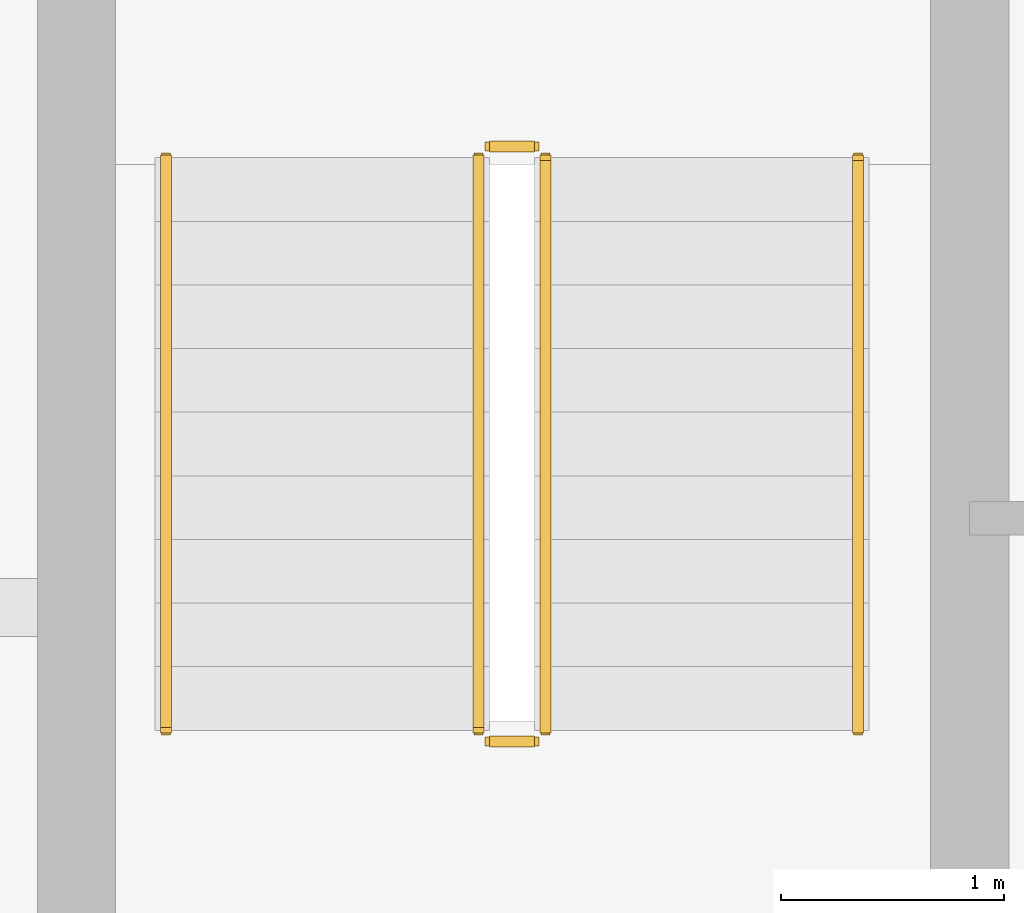
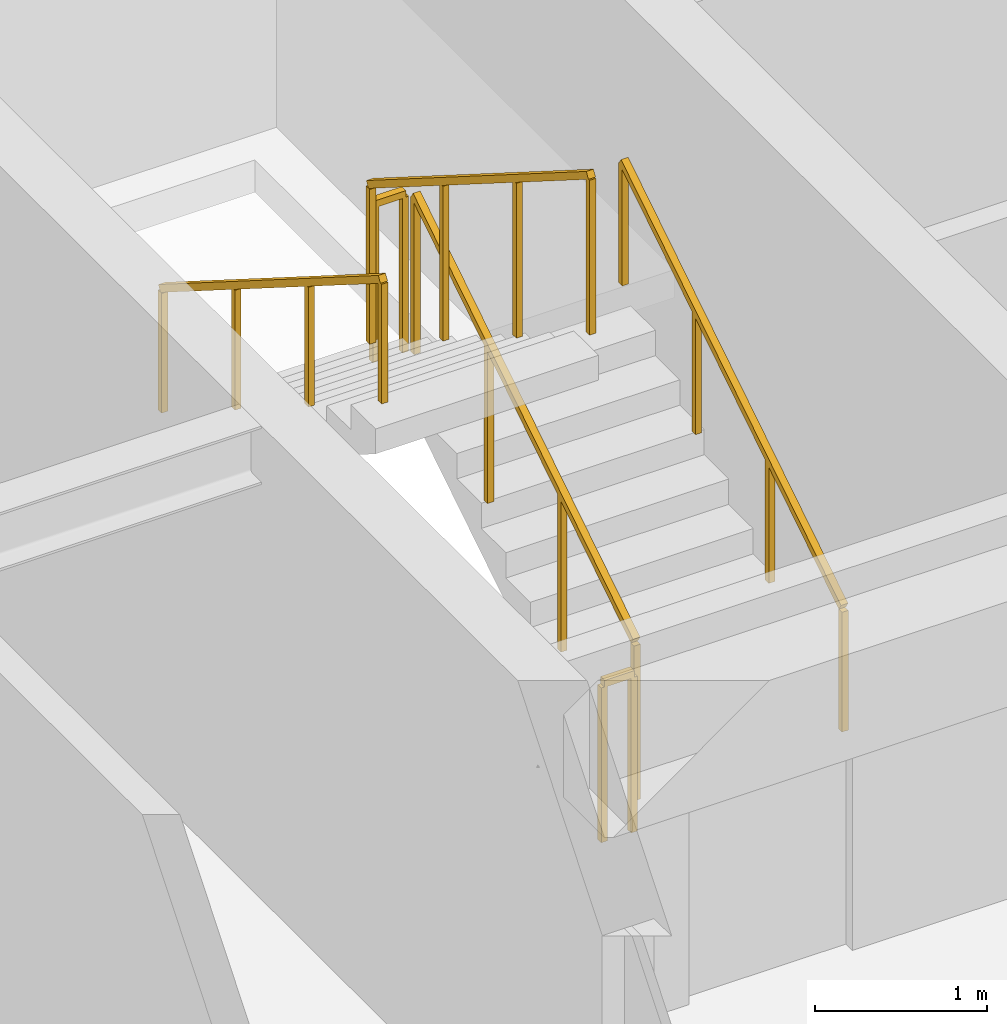
# One storey, part 21 of 23: 6 railings.
"""IFC4 building model written with IfcOpenShell, lengths in metres."""

from ifc_helpers import new_model, si_unit, direction, frame, origin, origin_2d, place, context, subcontext, project, spatial, rectangle, extrude, material, type_object, element, save


model = new_model("IFC4")

# Units and contexts
model_context = context("Model", 3, precision=1e-05, world=origin(), true_north=direction((0.0, 1.0)))
body_context = subcontext(model_context, "Body", "Model", "MODEL_VIEW")
ifc_project = project(units=[si_unit("LENGTHUNIT", "METRE"), si_unit("AREAUNIT", "SQUARE_METRE"), si_unit("VOLUMEUNIT", "CUBIC_METRE"), si_unit("PLANEANGLEUNIT", "RADIAN"), si_unit("MASSUNIT", "GRAM", prefix="KILO")], contexts=[model_context])

# Site, building, storey
site_placement = place(None, origin())
site = spatial("IfcSite", under=ifc_project, at=site_placement, CompositionType="ELEMENT")
building_placement = place(site_placement, origin())
building = spatial("IfcBuilding", under=site, at=building_placement, Name="Sarneth Arch Tower", CompositionType="ELEMENT")
storey_placement = place(building_placement, frame((0.0, 0.0, 269.39990234375)))
storey = spatial("IfcBuildingStorey", under=building, at=storey_placement, Name="L69", CompositionType="ELEMENT", Elevation=269.39990234375)

# Railings
ifc_material_1 = material(Name="Brushed Stainless Steel 304 tubular handrail", Category="steel")
railing_type_1 = type_object("IfcRailingType", Name="RAIL-HANDRAIL-900", PredefinedType="HANDRAIL", material=ifc_material_1)
railing_1_placement = place(storey_placement, frame((40.5, 41.449951171875, 0.18017578125)))
element("IfcRailing", 1, at=railing_1_placement, inside=storey, type_object=railing_type_1, Name="L69 ST-1 stair handrail 1", PredefinedType="HANDRAIL", context=body_context, shape_type="SweptSolid", body=[
    extrude(rectangle(XDim=0.048095703125, YDim=0.048095703125, at=origin_2d()), frame((0.0, 0.0, 0.8759765625), z_axis=(0.0, 0.845502289212, 0.533971796014), x_axis=(-1.0, 0.0, 0.0)), (0.0, 0.0, 1.0), 3.03369140625),
    extrude(rectangle(XDim=0.0419921875, YDim=0.0419921875, at=origin_2d()), origin(), (0.0, 0.0, 1.0), 0.851806640625),
    extrude(rectangle(XDim=0.0419921875, YDim=0.0419921875, at=origin_2d()), frame((0.0, 0.85498046875, 0.5400390625)), (0.0, 0.0, 1.0), 0.851806640625),
    extrude(rectangle(XDim=0.0419921875, YDim=0.0419921875, at=origin_2d()), frame((0.0, 1.7099609375, 1.079833984375)), (0.0, 0.0, 1.0), 0.851806640625),
    extrude(rectangle(XDim=0.0419921875, YDim=0.0419921875, at=origin_2d()), frame((0.0, 2.56494140625, 1.619873046875)), (0.0, 0.0, 1.0), 0.851806640625),
])
railing_2_placement = place(storey_placement, frame((37.39990234375, 44.014892578125, 1.97998046875)))
element("IfcRailing", 2, at=railing_2_placement, inside=storey, type_object=railing_type_1, Name="L69 ST-1 stair handrail 2", PredefinedType="HANDRAIL", context=body_context, shape_type="SweptSolid", body=[
    extrude(rectangle(XDim=0.048095703125, YDim=0.048095703125, at=origin_2d()), frame((0.0, 0.0, 0.8759765625), z_axis=(0.0, -0.845465955043, 0.534029323973), x_axis=(1.0, 0.0, 0.0)), (0.0, 0.0, 1.0), 3.03369140625),
    extrude(rectangle(XDim=0.0419921875, YDim=0.0419921875, at=origin_2d()), origin(), (0.0, 0.0, 1.0), 0.851806640625),
    extrude(rectangle(XDim=0.0419921875, YDim=0.0419921875, at=origin_2d()), frame((0.0, -0.85498046875, 0.5400390625)), (0.0, 0.0, 1.0), 0.851806640625),
    extrude(rectangle(XDim=0.0419921875, YDim=0.0419921875, at=origin_2d()), frame((0.0, -1.7099609375, 1.080078125)), (0.0, 0.0, 1.0), 0.851806640625),
    extrude(rectangle(XDim=0.0419921875, YDim=0.0419921875, at=origin_2d()), frame((0.0, -2.56494140625, 1.6201171875)), (0.0, 0.0, 1.0), 0.851806640625),
])
ifc_material_2 = material(Name="Painted Steel S275 stair well guard", Category="steel")
railing_type_2 = type_object("IfcRailingType", Name="RAIL-STAIR-GUARD", PredefinedType="GUARDRAIL", material=ifc_material_2)
railing_3_placement = place(storey_placement, frame((39.10009765625, 41.449951171875, 0.18017578125)))
element("IfcRailing", 3, at=railing_3_placement, inside=storey, type_object=railing_type_2, Name="L69 ST-1 stair guard 1", PredefinedType="GUARDRAIL", context=body_context, shape_type="SweptSolid", body=[
    extrude(rectangle(XDim=0.048095703125, YDim=0.048095703125, at=origin_2d()), frame((0.0, 0.0, 1.1259765625), z_axis=(0.0, 0.845502289212, 0.533971796014), x_axis=(-1.0, 0.0, 0.0)), (0.0, 0.0, 1.0), 3.03369140625),
    extrude(rectangle(XDim=0.0419921875, YDim=0.0419921875, at=origin_2d()), origin(), (0.0, 0.0, 1.0), 1.101806640625),
    extrude(rectangle(XDim=0.0419921875, YDim=0.0419921875, at=origin_2d()), frame((0.0, 0.85498046875, 0.5400390625)), (0.0, 0.0, 1.0), 1.101806640625),
    extrude(rectangle(XDim=0.0419921875, YDim=0.0419921875, at=origin_2d()), frame((0.0, 1.7099609375, 1.079833984375)), (0.0, 0.0, 1.0), 1.101806640625),
    extrude(rectangle(XDim=0.0419921875, YDim=0.0419921875, at=origin_2d()), frame((0.0, 2.56494140625, 1.619873046875)), (0.0, 0.0, 1.0), 1.101806640625),
])
railing_4_placement = place(storey_placement, frame((39.050048828125, 44.06494140625, 1.800048828125)))
element("IfcRailing", 4, at=railing_4_placement, inside=storey, type_object=railing_type_2, Name="L69 ST-1 stair guard 2", PredefinedType="GUARDRAIL", context=body_context, shape_type="SweptSolid", body=[
    extrude(rectangle(XDim=0.048095703125, YDim=0.048095703125, at=origin_2d()), frame((0.0, 0.0, 1.1259765625), z_axis=(-1.0, 0.0, 0.0), x_axis=(0.0, -1.0, 0.0)), (0.0, 0.0, 1.0), 0.199951171875),
    extrude(rectangle(XDim=0.0419921875, YDim=0.0419921875, at=origin_2d()), origin(), (0.0, 0.0, 1.0), 1.101806640625),
    extrude(rectangle(XDim=0.0419921875, YDim=0.0419921875, at=origin_2d()), frame((-0.199951171875, 0.0, 0.0)), (0.0, 0.0, 1.0), 1.101806640625),
])
railing_5_placement = place(storey_placement, frame((38.800048828125, 44.014892578125, 1.97998046875)))
element("IfcRailing", 5, at=railing_5_placement, inside=storey, type_object=railing_type_2, Name="L69 ST-1 stair guard 3", PredefinedType="GUARDRAIL", context=body_context, shape_type="SweptSolid", body=[
    extrude(rectangle(XDim=0.048095703125, YDim=0.048095703125, at=origin_2d()), frame((0.0, 0.0, 1.1259765625), z_axis=(0.0, -0.845465955043, 0.534029323973), x_axis=(1.0, 0.0, 0.0)), (0.0, 0.0, 1.0), 3.03369140625),
    extrude(rectangle(XDim=0.0419921875, YDim=0.0419921875, at=origin_2d()), origin(), (0.0, 0.0, 1.0), 1.101806640625),
    extrude(rectangle(XDim=0.0419921875, YDim=0.0419921875, at=origin_2d()), frame((0.0, -0.85498046875, 0.5400390625)), (0.0, 0.0, 1.0), 1.101806640625),
    extrude(rectangle(XDim=0.0419921875, YDim=0.0419921875, at=origin_2d()), frame((0.0, -1.7099609375, 1.080078125)), (0.0, 0.0, 1.0), 1.101806640625),
    extrude(rectangle(XDim=0.0419921875, YDim=0.0419921875, at=origin_2d()), frame((0.0, -2.56494140625, 1.6201171875)), (0.0, 0.0, 1.0), 1.101806640625),
])
railing_6_placement = place(storey_placement, frame((39.050048828125, 41.39990234375, 0.0)))
element("IfcRailing", 6, at=railing_6_placement, inside=storey, type_object=railing_type_2, Name="L69 ST-1 stair guard 4", PredefinedType="GUARDRAIL", context=body_context, shape_type="SweptSolid", body=[
    extrude(rectangle(XDim=0.048095703125, YDim=0.048095703125, at=origin_2d()), frame((0.0, 0.0, 1.1259765625), z_axis=(-1.0, 0.0, 0.0), x_axis=(0.0, -1.0, 0.0)), (0.0, 0.0, 1.0), 0.199951171875),
    extrude(rectangle(XDim=0.0419921875, YDim=0.0419921875, at=origin_2d()), origin(), (0.0, 0.0, 1.0), 1.101806640625),
    extrude(rectangle(XDim=0.0419921875, YDim=0.0419921875, at=origin_2d()), frame((-0.199951171875, 0.0, 0.0)), (0.0, 0.0, 1.0), 1.101806640625),
])

save(model, "model.ifc")
